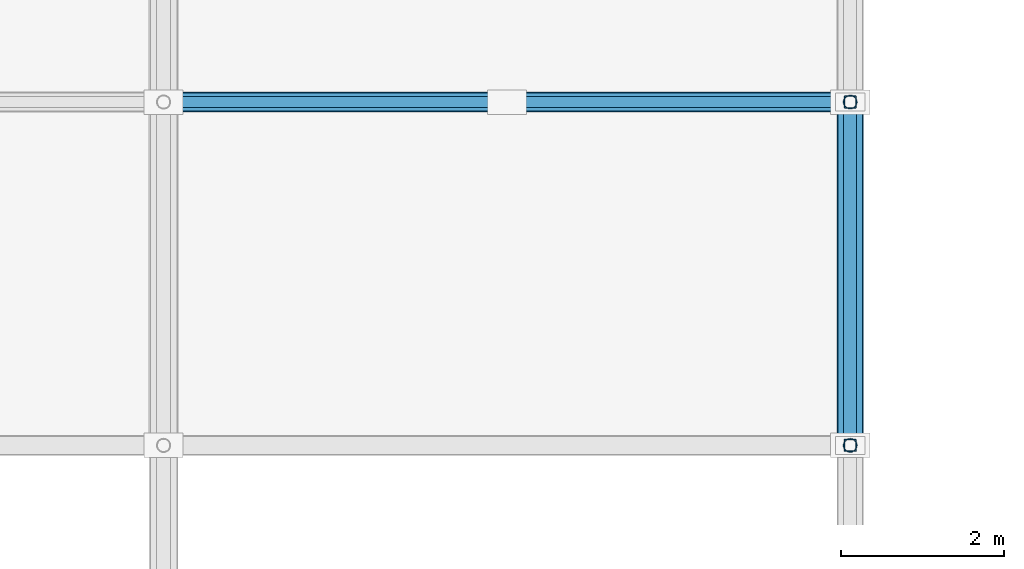
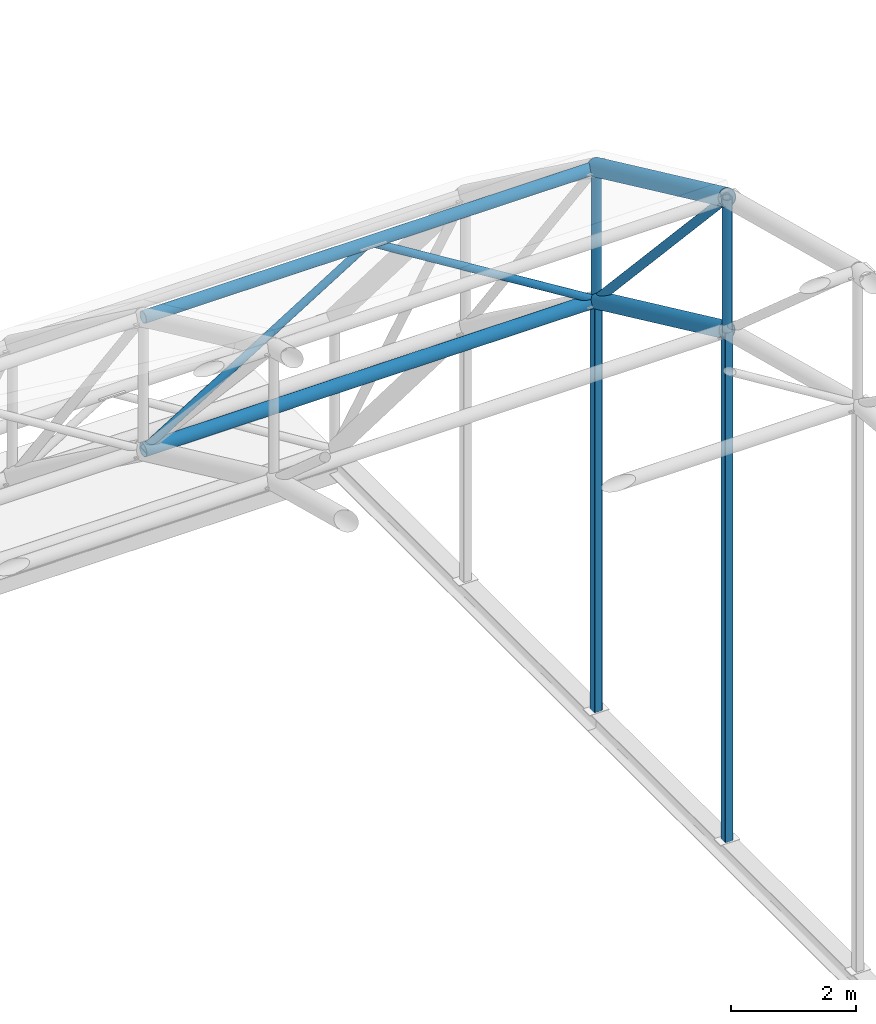
# One storey, part 61 of 103: 9 members, 2 beams.
"""IFC4 building model written with IfcOpenShell, lengths in metres."""

from ifc_helpers import new_model, si_unit, direction, frame, origin, origin_2d, place, context, subcontext, project, spatial, hollow_rectangle, hollow_circle, extrude, material, material_profile, profile_set, type_object, element, save


model = new_model("IFC4")

# Units and contexts
model_context = context("Model", 3, precision=1e-05, world=origin(), true_north=direction((0.0, 1.0)))
body_context = subcontext(model_context, "Body", "Model", "MODEL_VIEW")
ifc_project = project(units=[si_unit("LENGTHUNIT", "METRE"), si_unit("AREAUNIT", "SQUARE_METRE"), si_unit("VOLUMEUNIT", "CUBIC_METRE"), si_unit("PLANEANGLEUNIT", "RADIAN"), si_unit("MASSUNIT", "GRAM", prefix="KILO")], contexts=[model_context])

# Site, building, storey
site_placement = place(None, origin())
site = spatial("IfcSite", under=ifc_project, at=site_placement, CompositionType="ELEMENT")
building_placement = place(site_placement, origin())
building = spatial("IfcBuilding", under=site, at=building_placement, Name="Varnapada Polytechnic", CompositionType="ELEMENT")
storey_placement = place(building_placement, frame((0.0, 0.0, 18.0)))
storey = spatial("IfcBuildingStorey", under=building, at=storey_placement, Name="L04", CompositionType="ELEMENT", Elevation=18.0)

# Members
ifc_material = material(Name="Steel S355", Category="steel")
ifc_material_profile_1 = material_profile(ifc_material, hollow_rectangle(XDim=0.14990234375, YDim=0.14990234375, WallThickness=0.00634765625, InnerFilletRadius=0.006103515625, OuterFilletRadius=0.011962890625, at=origin_2d()), Name="SHS 150x150x6.3")
ifc_profile_set_1 = profile_set([ifc_material_profile_1], Name="Steel S355")
member_type_1 = type_object("IfcMemberType", Name="Sawtooth north-light mullion post SFP-02 (SHS 150x150x6.3)", PredefinedType="POST", material=ifc_profile_set_1)
member_1_placement = place(storey_placement, frame((134.39990234375, 113.39990234375, 0.0), z_axis=(0.0, 0.0, 1.0), x_axis=(1.0, 0.0, 0.0)))
element("IfcMember", 1, at=member_1_placement, inside=storey, type_object=member_type_1, Name="Workshop arch tympanum mullion E.7", PredefinedType="POST", context=body_context, shape_type="SweptSolid", body=[
    extrude(hollow_rectangle(XDim=0.14990234375, YDim=0.14990234375, WallThickness=0.00634765625, InnerFilletRadius=0.006103515625, OuterFilletRadius=0.011962890625, at=origin_2d()), origin(), (0.0, 0.0, 1.0), 9.98193359375),
])
member_2_placement = place(storey_placement, frame((134.39990234375, 117.60009765625, 0.0), z_axis=(0.0, 0.0, 1.0), x_axis=(1.0, 0.0, 0.0)))
element("IfcMember", 2, at=member_2_placement, inside=storey, type_object=member_type_1, Name="Workshop arch tympanum mullion E.8", PredefinedType="POST", context=body_context, shape_type="SweptSolid", body=[
    extrude(hollow_rectangle(XDim=0.14990234375, YDim=0.14990234375, WallThickness=0.00634765625, InnerFilletRadius=0.006103515625, OuterFilletRadius=0.011962890625, at=origin_2d()), origin(), (0.0, 0.0, 1.0), 8.02783203125),
])

# Beam
ifc_material_profile_2 = material_profile(ifc_material, hollow_circle(Radius=0.149169921875, WallThickness=0.010009765625, at=origin_2d()), Name="CHS 298.5x10.0")
ifc_profile_set_2 = profile_set([ifc_material_profile_2], Name="Steel S355")
beam_type_1 = type_object("IfcBeamType", Name="Space frame end-bay arch rib VA-04 (CHS 298.5x10.0)", PredefinedType="BEAM", material=ifc_profile_set_2)
beam_1_placement = place(storey_placement, frame((134.39990234375, 113.39990234375, 9.98193359375), z_axis=(0.0, 0.906677989805, -0.421823449802), x_axis=(-1.0, 0.0, 0.0)))
element("IfcBeam", 3, at=beam_1_placement, inside=storey, type_object=beam_type_1, Name="Vaulted space frame bottom arch chord 11.8", PredefinedType="BEAM", context=body_context, shape_type="SweptSolid", body=[
    extrude(hollow_circle(Radius=0.149169921875, WallThickness=0.010009765625, at=origin_2d()), origin(), (0.0, 0.0, 1.0), 4.632568359375),
])

# Members
ifc_material_profile_3 = material_profile(ifc_material, hollow_circle(Radius=0.07958984375, WallThickness=0.00634765625, at=origin_2d()), Name="CHS 159.0x6.3")
ifc_profile_set_3 = profile_set([ifc_material_profile_3], Name="Steel S355")
member_type_2 = type_object("IfcMemberType", Name="Space frame perimeter web diagonal SFB-03 (CHS 159.0x6.3)", PredefinedType="BRACE", material=ifc_profile_set_3)
member_3_placement = place(storey_placement, frame((134.39990234375, 113.39990234375, 12.581787109375), z_axis=(0.0, 0.677978881407, -0.735081380777), x_axis=(-1.0, 0.0, 0.0)))
element("IfcMember", 4, at=member_3_placement, inside=storey, type_object=member_type_2, Name="Vaulted space frame web diagonal 11.8", PredefinedType="BRACE", context=body_context, shape_type="SweptSolid", body=[
    extrude(hollow_circle(Radius=0.07958984375, WallThickness=0.00634765625, at=origin_2d()), origin(), (0.0, 0.0, 1.0), 6.195068359375),
])
ifc_material_profile_4 = material_profile(ifc_material, hollow_circle(Radius=0.122314453125, WallThickness=0.008056640625, at=origin_2d()), Name="CHS 244.5x8.0")
ifc_profile_set_4 = profile_set([ifc_material_profile_4], Name="Steel S355")
member_type_3 = type_object("IfcMemberType", Name="Vaulted space frame longitudinal bottom chord SFC-01 (CHS 244.5x8.0)", PredefinedType="CHORD", material=ifc_profile_set_4)
member_4_placement = place(storey_placement, frame((126.0, 117.60009765625, 8.02783203125), z_axis=(1.0, 0.0, 0.0), x_axis=(0.0, 1.0, 0.0)))
element("IfcMember", 5, at=member_4_placement, inside=storey, type_object=member_type_3, Name="Vaulted space frame longitudinal bottom chord 10.9", PredefinedType="CHORD", context=body_context, shape_type="SweptSolid", body=[
    extrude(hollow_circle(Radius=0.122314453125, WallThickness=0.008056640625, at=origin_2d()), origin(), (0.0, 0.0, 1.0), 8.39990234375),
])
ifc_material_profile_5 = material_profile(ifc_material, hollow_circle(Radius=0.109619140625, WallThickness=0.008056640625, at=origin_2d()), Name="CHS 219.1x8.0")
ifc_profile_set_5 = profile_set([ifc_material_profile_5], Name="Steel S355")
member_type_4 = type_object("IfcMemberType", Name="Vaulted space frame longitudinal top chord SFC-02 (CHS 219.1x8.0)", PredefinedType="CHORD", material=ifc_profile_set_5)
member_5_placement = place(storey_placement, frame((126.0, 117.60009765625, 10.6279296875), z_axis=(1.0, 0.0, 0.0), x_axis=(0.0, 1.0, 0.0)))
element("IfcMember", 6, at=member_5_placement, inside=storey, type_object=member_type_4, Name="Vaulted space frame longitudinal top chord 10.9", PredefinedType="CHORD", context=body_context, shape_type="SweptSolid", body=[
    extrude(hollow_circle(Radius=0.109619140625, WallThickness=0.008056640625, at=origin_2d()), origin(), (0.0, 0.0, 1.0), 8.39990234375),
])
ifc_material_profile_6 = material_profile(ifc_material, hollow_circle(Radius=0.084228515625, WallThickness=0.00634765625, at=origin_2d()), Name="CHS 168.3x6.3")
ifc_profile_set_6 = profile_set([ifc_material_profile_6], Name="Steel S355")
member_type_5 = type_object("IfcMemberType", Name="Vaulted space frame radial web strut SFS-01 (CHS 168.3x6.3)", PredefinedType="STRUT", material=ifc_profile_set_6)
member_6_placement = place(storey_placement, frame((134.39990234375, 113.39990234375, 9.98193359375), z_axis=(0.0, 0.0, 1.0), x_axis=(1.0, 0.0, 0.0)))
element("IfcMember", 7, at=member_6_placement, inside=storey, type_object=member_type_5, Name="Vaulted space frame strut 11.8", PredefinedType="STRUT", context=body_context, shape_type="SweptSolid", body=[
    extrude(hollow_circle(Radius=0.084228515625, WallThickness=0.00634765625, at=origin_2d()), origin(), (0.0, 0.0, 1.0), 2.599853515625),
])
member_7_placement = place(storey_placement, frame((134.39990234375, 117.60009765625, 8.02783203125), z_axis=(0.0, 0.0, 1.0), x_axis=(1.0, 0.0, 0.0)))
element("IfcMember", 8, at=member_7_placement, inside=storey, type_object=member_type_5, Name="Vaulted space frame strut 11.9", PredefinedType="STRUT", context=body_context, shape_type="SweptSolid", body=[
    extrude(hollow_circle(Radius=0.084228515625, WallThickness=0.00634765625, at=origin_2d()), origin(), (0.0, 0.0, 1.0), 2.60009765625),
])
ifc_material_profile_7 = material_profile(ifc_material, hollow_circle(Radius=0.06982421875, WallThickness=0.0048828125, at=origin_2d()), Name="CHS 139.7x5.0")
ifc_profile_set_7 = profile_set([ifc_material_profile_7], Name="Steel S355")
member_type_6 = type_object("IfcMemberType", Name="Vaulted space frame secondary web diagonal SFB-02 (CHS 139.7x5.0)", PredefinedType="BRACE", material=ifc_profile_set_7)
for number, where, z_axis, x_axis, name in (
    (9, (126.0, 117.60009765625, 8.02783203125), (0.85025356003, 0.0, 0.526373331065), (0.0, 1.0, 0.0), "Vaulted space frame longitudinal brace 10.9A"),
    (10, (134.39990234375, 117.60009765625, 8.02783203125), (-0.85025356003, 0.0, 0.526373331065), (0.0, -1.0, 0.0), "Vaulted space frame longitudinal brace 10.9B"),
):
    element("IfcMember", number, at=place(storey_placement, frame(where, z_axis=z_axis, x_axis=x_axis)), inside=storey, type_object=member_type_6, Name=name, PredefinedType="BRACE", context=body_context, shape_type="SweptSolid", body=[
        extrude(hollow_circle(Radius=0.06982421875, WallThickness=0.0048828125, at=origin_2d()), origin(), (0.0, 0.0, 1.0), 4.939697265625),
    ])

# Beam
ifc_material_profile_8 = material_profile(ifc_material, hollow_circle(Radius=0.161865234375, WallThickness=0.010009765625, at=origin_2d()), Name="CHS 323.9x10.0")
ifc_profile_set_8 = profile_set([ifc_material_profile_8], Name="Steel S355")
beam_type_2 = type_object("IfcBeamType", Name="Vaulted space frame upper arch rib VA-02 (CHS 323.9x10.0)", PredefinedType="BEAM", material=ifc_profile_set_8)
beam_2_placement = place(storey_placement, frame((134.39990234375, 113.39990234375, 12.581787109375), z_axis=(0.0, 0.906698145361, -0.421780124234), x_axis=(-1.0, 0.0, 0.0)))
element("IfcBeam", 11, at=beam_2_placement, inside=storey, type_object=beam_type_2, Name="Vaulted space frame top arch chord 11.8", PredefinedType="BEAM", context=body_context, shape_type="SweptSolid", body=[
    extrude(hollow_circle(Radius=0.161865234375, WallThickness=0.010009765625, at=origin_2d()), origin(), (0.0, 0.0, 1.0), 4.63232421875),
])

save(model, "model.ifc")
